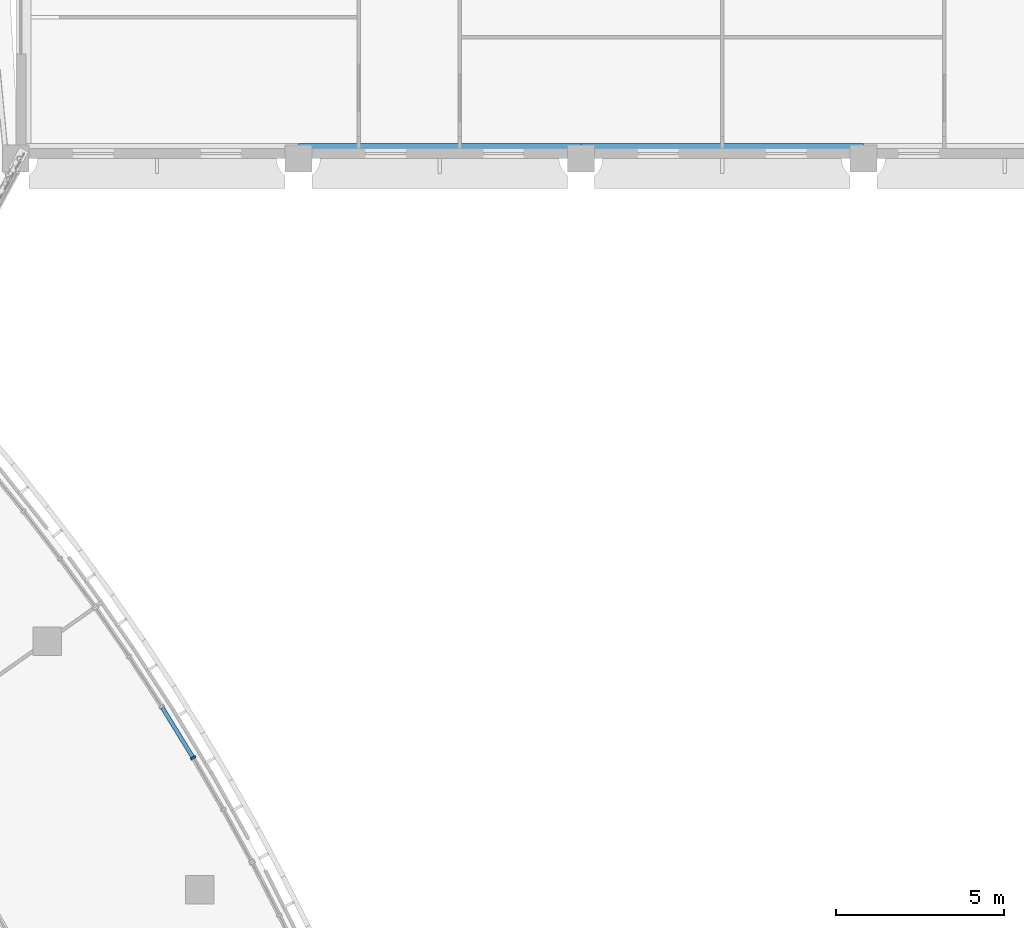
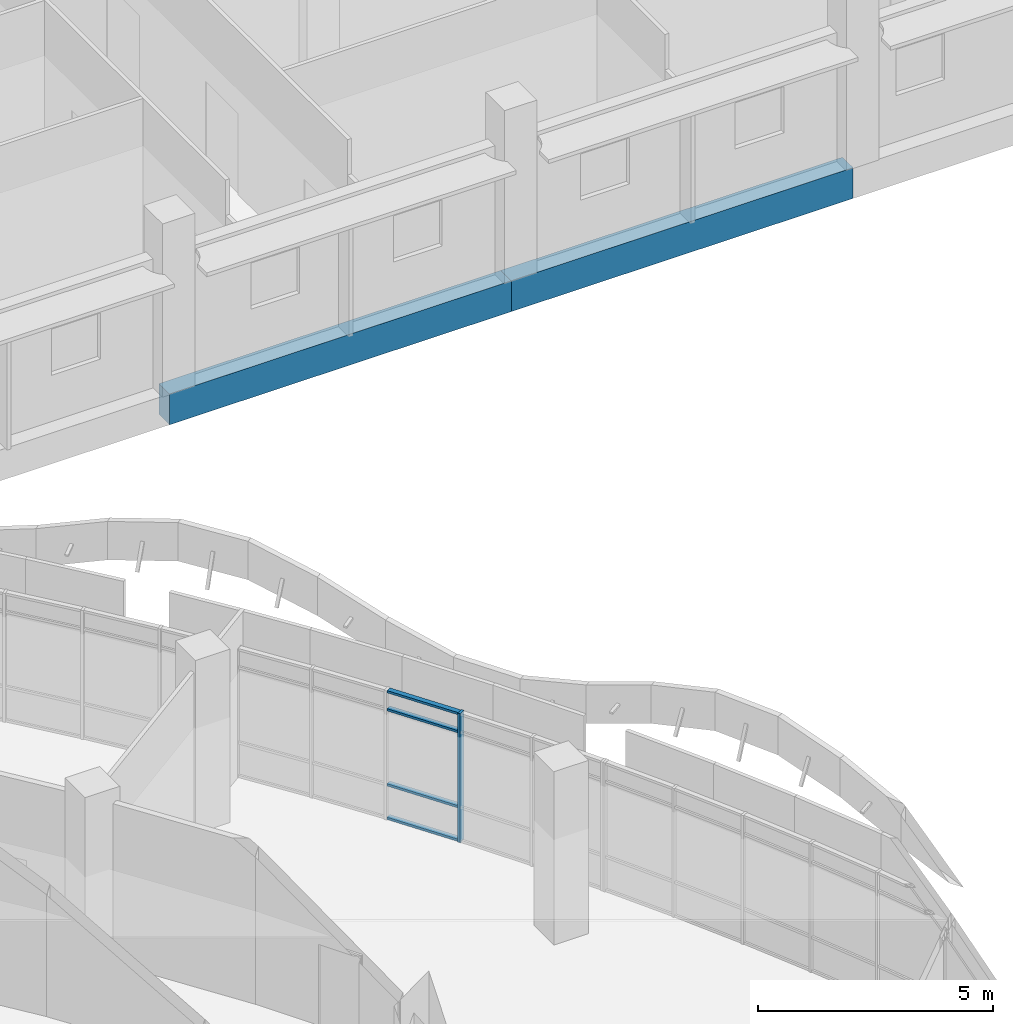
# One storey, part 36 of 136: 5 members, 2 beams, 1 element without a shape of its own.
"""IFC4 building model written with IfcOpenShell, lengths in metres."""

from ifc_helpers import new_model, si_unit, direction, frame, origin, origin_2d, place, context, subcontext, project, spatial, rectangle, extrude, material, material_profile, profile_set, type_object, element, aggregate, save


model = new_model("IFC4")

# Units and contexts
model_context = context("Model", 3, precision=1e-05, world=origin(), true_north=direction((0.0, 1.0)))
body_context = subcontext(model_context, "Body", "Model", "MODEL_VIEW")
ifc_project = project(units=[si_unit("LENGTHUNIT", "METRE"), si_unit("AREAUNIT", "SQUARE_METRE"), si_unit("VOLUMEUNIT", "CUBIC_METRE"), si_unit("PLANEANGLEUNIT", "RADIAN"), si_unit("MASSUNIT", "GRAM", prefix="KILO")], contexts=[model_context])

# Site, building, storey
site_placement = place(None, origin())
site = spatial("IfcSite", under=ifc_project, at=site_placement, CompositionType="ELEMENT")
building_placement = place(site_placement, origin())
building = spatial("IfcBuilding", under=site, at=building_placement, Name="Bougainvillea Quay General Hospital", CompositionType="ELEMENT")
storey_placement = place(building_placement, frame((0.0, 0.0, 5.39990234375)))
storey = spatial("IfcBuildingStorey", under=building, at=storey_placement, Name="L01", CompositionType="ELEMENT", Elevation=5.39990234375)

# Curtain wall, members
ifc_material_1 = material(Name="Aluminium curtain wall system, powder-coated glazed", Category="aluminium")
curtain_wall_type = type_object("IfcCurtainWallType", Name="Unitised curtain wall CW-2100", PredefinedType="NOTDEFINED", material=ifc_material_1)
curtain_wall_placement = place(storey_placement, origin())
curtain_wall = element("IfcCurtainWall", 1, at=curtain_wall_placement, inside=storey, type_object=curtain_wall_type, Name="CW-E05 a23b4", PredefinedType="NOTDEFINED")
ifc_material_2 = material(Name="Aluminium mullion, powder-coated charcoal", Category="aluminium")
ifc_material_profile_1 = material_profile(ifc_material_2, rectangle(XDim=0.159912109375, YDim=0.06005859375, at=origin_2d()))
ifc_profile_set_1 = profile_set([ifc_material_profile_1], Name="Aluminium mullion, powder-coated charcoal")
member_type_1 = type_object("IfcMemberType", Name="Curtain wall mullion 160x60", PredefinedType="MULLION", material=ifc_profile_set_1)
member_1_placement = place(storey_placement, frame((169.072509765625, 57.782958984375, 0.0), z_axis=(0.0, 0.0, 1.0), x_axis=(0.858380240869, 0.513013997943, 0.0)))
member_1 = element("IfcMember", 2, at=member_1_placement, type_object=member_type_1, Name="CW-E05 mullion 4", PredefinedType="MULLION", context=body_context, shape_type="SweptSolid", body=[
    extrude(rectangle(XDim=0.159912109375, YDim=0.06005859375, at=origin_2d()), origin(), (0.0, 0.0, 1.0), 3.35009765625),
])
ifc_material_3 = material(Name="Aluminium transom, powder-coated charcoal", Category="aluminium")
ifc_material_profile_2 = material_profile(ifc_material_3, rectangle(XDim=0.1201171875, YDim=0.06005859375, at=origin_2d()))
ifc_profile_set_2 = profile_set([ifc_material_profile_2], Name="Aluminium transom, powder-coated charcoal")
member_type_2 = type_object("IfcMemberType", Name="Curtain wall transom 120x60", PredefinedType="USERDEFINED", material=ifc_profile_set_2)
member_2_placement = place(storey_placement, frame((168.155517578125, 59.273681640625, 0.030029296875), z_axis=(0.523899426945, -0.851780130343, 0.0), x_axis=(0.851780130343, 0.523899426945, 0.0)))
member_2 = element("IfcMember", 3, at=member_2_placement, type_object=member_type_2, Name="CW-E05 transom 3.1", ObjectType="TRANSOM", PredefinedType="USERDEFINED", context=body_context, shape_type="SweptSolid", body=[
    extrude(rectangle(XDim=0.1201171875, YDim=0.06005859375, at=origin_2d()), origin(), (0.0, 0.0, 1.0), 1.719970703125),
])
member_3_placement = place(storey_placement, frame((168.155517578125, 59.273681640625, 0.900146484375), z_axis=(0.523899426945, -0.851780130343, 0.0), x_axis=(0.851780130343, 0.523899426945, 0.0)))
member_3 = element("IfcMember", 4, at=member_3_placement, type_object=member_type_2, Name="CW-E05 transom 3.2", ObjectType="TRANSOM", PredefinedType="USERDEFINED", context=body_context, shape_type="SweptSolid", body=[
    extrude(rectangle(XDim=0.1201171875, YDim=0.06005859375, at=origin_2d()), origin(), (0.0, 0.0, 1.0), 1.719970703125),
])
member_4_placement = place(storey_placement, frame((168.155517578125, 59.273681640625, 2.85009765625), z_axis=(0.523899426945, -0.851780130343, 0.0), x_axis=(0.851780130343, 0.523899426945, 0.0)))
member_4 = element("IfcMember", 5, at=member_4_placement, type_object=member_type_2, Name="CW-E05 transom 3.3", ObjectType="TRANSOM", PredefinedType="USERDEFINED", context=body_context, shape_type="SweptSolid", body=[
    extrude(rectangle(XDim=0.1201171875, YDim=0.06005859375, at=origin_2d()), origin(), (0.0, 0.0, 1.0), 1.719970703125),
])
member_5_placement = place(storey_placement, frame((168.155517578125, 59.273681640625, 3.320068359375), z_axis=(0.523899426945, -0.851780130343, 0.0), x_axis=(0.851780130343, 0.523899426945, 0.0)))
member_5 = element("IfcMember", 6, at=member_5_placement, type_object=member_type_2, Name="CW-E05 transom 3.4", ObjectType="TRANSOM", PredefinedType="USERDEFINED", context=body_context, shape_type="SweptSolid", body=[
    extrude(rectangle(XDim=0.1201171875, YDim=0.06005859375, at=origin_2d()), origin(), (0.0, 0.0, 1.0), 1.719970703125),
])
aggregate(curtain_wall, [member_1, member_2, member_3, member_4, member_5])

# Beams
ifc_material_4 = material(Name="Concrete C40", Category="concrete")
ifc_material_profile_3 = material_profile(ifc_material_4, rectangle(XDim=0.449951171875, YDim=0.800048828125, at=origin_2d()))
ifc_profile_set_3 = profile_set([ifc_material_profile_3], Name="Concrete C40")
beam_type = type_object("IfcBeamType", Name="RC BEAM 450x800 C40", PredefinedType="BEAM", material=ifc_profile_set_3)
beam_1_placement = place(storey_placement, frame((172.199951171875, 75.824951171875, -0.699951171875), z_axis=(1.0, 0.0, 0.0), x_axis=(0.0, 1.0, 0.0)))
element("IfcBeam", 7, at=beam_1_placement, inside=storey, type_object=beam_type, Name="Edge beam L01", PredefinedType="BEAM", context=body_context, shape_type="SweptSolid", body=[
    extrude(rectangle(XDim=0.449951171875, YDim=0.800048828125, at=origin_2d()), origin(), (0.0, 0.0, 1.0), 8.400146484375),
])
beam_2_placement = place(storey_placement, frame((180.60009765625, 75.824951171875, -0.699951171875), z_axis=(1.0, 0.0, 0.0), x_axis=(0.0, 1.0, 0.0)))
element("IfcBeam", 8, at=beam_2_placement, inside=storey, type_object=beam_type, Name="Edge beam L01", PredefinedType="BEAM", context=body_context, shape_type="SweptSolid", body=[
    extrude(rectangle(XDim=0.449951171875, YDim=0.800048828125, at=origin_2d()), origin(), (0.0, 0.0, 1.0), 8.39990234375),
])

save(model, "model.ifc")
